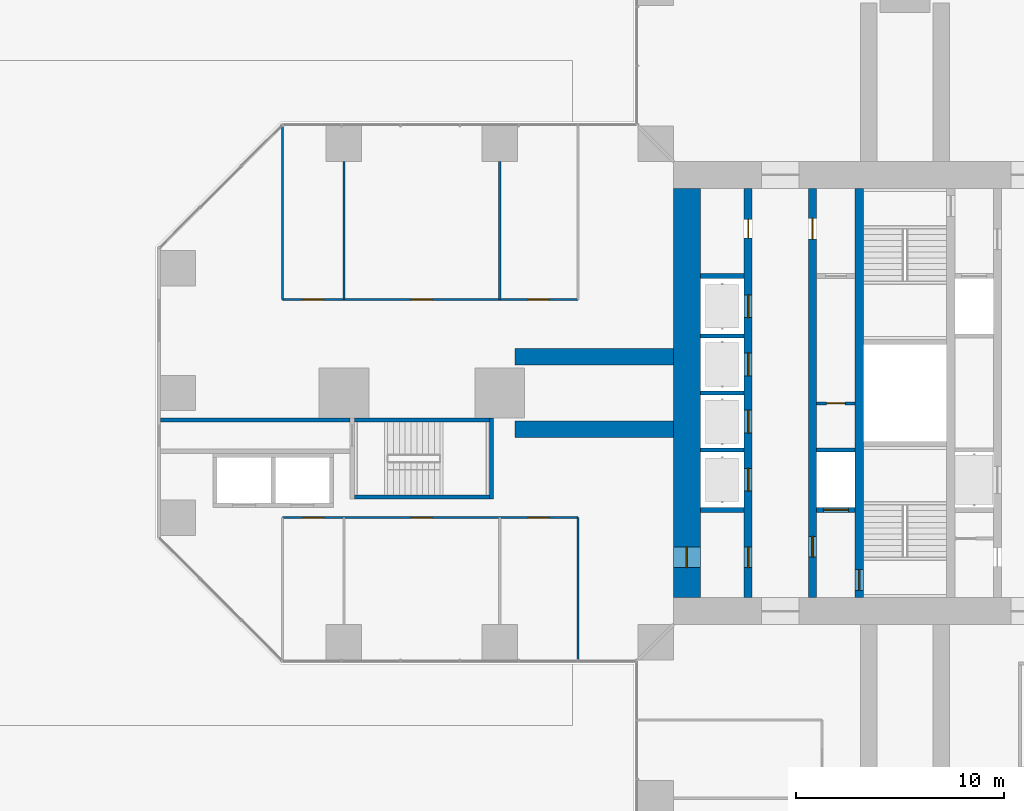
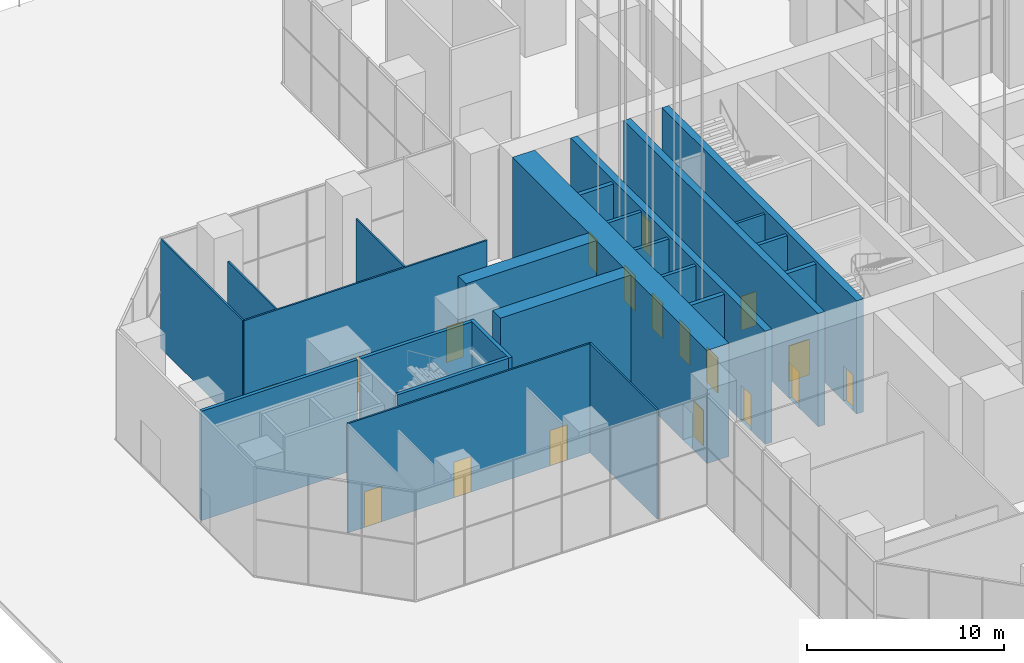
# One storey, part 18 of 43: 24 walls, 18 doors, 18 openings.
"""IFC4 building model written with IfcOpenShell, lengths in metres."""

from ifc_helpers import new_model, si_unit, direction, frame, frame_2d, origin, place, context, subcontext, project, spatial, rectangle, extrude, material, layer, layer_set, type_object, element, fill, save


model = new_model("IFC4")

# Units and contexts
model_context = context("Model", 3, precision=1e-05, world=origin(), true_north=direction((0.0, 1.0)))
body_context = subcontext(model_context, "Body", "Model", "MODEL_VIEW")
ifc_project = project(units=[si_unit("LENGTHUNIT", "METRE"), si_unit("AREAUNIT", "SQUARE_METRE"), si_unit("VOLUMEUNIT", "CUBIC_METRE"), si_unit("PLANEANGLEUNIT", "RADIAN"), si_unit("MASSUNIT", "GRAM", prefix="KILO")], contexts=[model_context])

# Site, building, storey
site_placement = place(None, origin())
site = spatial("IfcSite", under=ifc_project, at=site_placement, CompositionType="ELEMENT")
building_placement = place(site_placement, origin())
building = spatial("IfcBuilding", under=site, at=building_placement, Name="Mizan Broadcast Tower", CompositionType="ELEMENT")
storey_placement = place(building_placement, origin())
storey = spatial("IfcBuildingStorey", under=building, at=storey_placement, Name="L00", CompositionType="ELEMENT", Elevation=0.0)

# Wall, openings, doors
ifc_material_1 = material(Name="Concrete C70/85", Category="concrete")
ifc_layer_1 = layer(ifc_material_1, 0.39990234375)
ifc_layer_set_1 = layer_set([ifc_layer_1], Name="Concrete C70/85")
wall_type_1 = type_object("IfcWallType", Name="CORE INTERNAL WALL 400", PredefinedType="SHEAR", material=ifc_layer_set_1)
wall_1_placement = place(storey_placement, frame((-7.550048828125, -9.85009765625, 0.0), z_axis=(0.0, 0.0, 1.0), x_axis=(0.0, 1.0, 0.0)))
wall_1 = element("IfcWall", 1, at=wall_1_placement, inside=storey, type_object=wall_type_1, Name="Core wall CORE/XW1", PredefinedType="SHEAR", context=body_context, shape_type="SweptSolid", body=[
    extrude(rectangle(XDim=19.7001953125, YDim=0.39990234375, at=frame_2d((9.85009765625, 0.0))), origin(), (0.0, 0.0, 1.0), 7.0),
])
opening_1_placement = place(wall_1_placement, frame((1.449951171875, 0.0, 0.0)))
opening_1 = element("IfcOpeningElement", 2, at=opening_1_placement, cuts=wall_1, Name="Opening D10F", PredefinedType="OPENING", context=body_context, shape_type="SweptSolid", body=[
    extrude(rectangle(XDim=1.0, YDim=2.199951171875, at=frame_2d((0.5, 1.10009765625))), frame((0.0, 0.2099609375, 0.0), z_axis=(0.0, -1.0, 0.0), x_axis=(1.0, 0.0, 0.0)), (0.0, 0.0, 1.0), 0.419921875),
])
opening_2_placement = place(wall_1_placement, frame((17.300048828125, 0.0, 0.0)))
opening_2 = element("IfcOpeningElement", 3, at=opening_2_placement, cuts=wall_1, Name="Opening D09", PredefinedType="OPENING", context=body_context, shape_type="SweptSolid", body=[
    extrude(rectangle(XDim=0.89990234375, YDim=2.10009765625, at=frame_2d((0.449951171875, 1.050048828125))), frame((0.0, 0.2099609375, 0.0), z_axis=(0.0, -1.0, 0.0), x_axis=(1.0, 0.0, 0.0)), (0.0, 0.0, 1.0), 0.419921875),
])
opening_3_placement = place(wall_1_placement, frame((5.125, 0.0, 0.0)))
opening_3 = element("IfcOpeningElement", 4, at=opening_3_placement, cuts=wall_1, Name="Opening LD", PredefinedType="OPENING", context=body_context, shape_type="SweptSolid", body=[
    extrude(rectangle(XDim=1.10009765625, YDim=2.199951171875, at=frame_2d((0.550048828125, 1.10009765625))), frame((0.0, 0.2099609375, 0.0), z_axis=(0.0, -1.0, 0.0), x_axis=(1.0, 0.0, 0.0)), (0.0, 0.0, 1.0), 0.419921875),
])
opening_4_placement = place(wall_1_placement, frame((7.925048828125, 0.0, 0.0)))
opening_4 = element("IfcOpeningElement", 5, at=opening_4_placement, cuts=wall_1, Name="Opening LD", PredefinedType="OPENING", context=body_context, shape_type="SweptSolid", body=[
    extrude(rectangle(XDim=1.10009765625, YDim=2.199951171875, at=frame_2d((0.550048828125, 1.10009765625))), frame((0.0, 0.2099609375, 0.0), z_axis=(0.0, -1.0, 0.0), x_axis=(1.0, 0.0, 0.0)), (0.0, 0.0, 1.0), 0.419921875),
])
opening_5_placement = place(wall_1_placement, frame((10.675048828125, 0.0, 0.0)))
opening_5 = element("IfcOpeningElement", 6, at=opening_5_placement, cuts=wall_1, Name="Opening LD", PredefinedType="OPENING", context=body_context, shape_type="SweptSolid", body=[
    extrude(rectangle(XDim=1.10009765625, YDim=2.199951171875, at=frame_2d((0.550048828125, 1.10009765625))), frame((0.0, 0.2099609375, 0.0), z_axis=(0.0, -1.0, 0.0), x_axis=(1.0, 0.0, 0.0)), (0.0, 0.0, 1.0), 0.419921875),
])
opening_6_placement = place(wall_1_placement, frame((13.47509765625, 0.0, 0.0)))
opening_6 = element("IfcOpeningElement", 7, at=opening_6_placement, cuts=wall_1, Name="Opening LD", PredefinedType="OPENING", context=body_context, shape_type="SweptSolid", body=[
    extrude(rectangle(XDim=1.10009765625, YDim=2.199951171875, at=frame_2d((0.550048828125, 1.10009765625))), frame((0.0, 0.2099609375, 0.0), z_axis=(0.0, -1.0, 0.0), x_axis=(1.0, 0.0, 0.0)), (0.0, 0.0, 1.0), 0.419921875),
])
ifc_material_2 = material(Name="Steel door leaf in steel frame", Category="steel")
door_type_1 = type_object("IfcDoorType", Name="FIRE DOOR 1000 FD90", OperationType="SINGLE_SWING_LEFT", PredefinedType="DOOR", material=ifc_material_2)
door_1_placement = place(opening_1_placement, origin())
door_1 = element("IfcDoor", 8, at=door_1_placement, inside=storey, type_object=door_type_1, Name="West core passage door", OperationType="SINGLE_SWING_LEFT", OverallHeight=2.199951171875, OverallWidth=1.0, PredefinedType="DOOR", context=body_context, shape_type="SweptSolid", body=[
    extrude(rectangle(XDim=1.0, YDim=2.199951171875, at=frame_2d((0.5, 1.10009765625))), frame((0.0, 0.02490234375, 0.0), z_axis=(0.0, -1.0, 0.0), x_axis=(1.0, 0.0, 0.0)), (0.0, 0.0, 1.0), 0.050048828125),
])
fill(opening_1, door_1)
ifc_material_3 = material(Name="Steel door leaf in steel frame", Category="steel")
door_type_2 = type_object("IfcDoorType", Name="LIFT LANDING DOOR 1100", OperationType="SLIDING_TO_LEFT", PredefinedType="DOOR", material=ifc_material_3)
door_2_placement = place(opening_3_placement, origin())
door_2 = element("IfcDoor", 9, at=door_2_placement, inside=storey, type_object=door_type_2, Name="Landing door LA1", OperationType="SLIDING_TO_LEFT", OverallHeight=2.199951171875, OverallWidth=1.10009765625, PredefinedType="DOOR", context=body_context, shape_type="SweptSolid", body=[
    extrude(rectangle(XDim=1.10009765625, YDim=2.199951171875, at=frame_2d((0.550048828125, 1.10009765625))), frame((0.0, 0.02490234375, 0.0), z_axis=(0.0, -1.0, 0.0), x_axis=(1.0, 0.0, 0.0)), (0.0, 0.0, 1.0), 0.050048828125),
])
fill(opening_3, door_2)
door_3_placement = place(opening_4_placement, origin())
door_3 = element("IfcDoor", 10, at=door_3_placement, inside=storey, type_object=door_type_2, Name="Landing door LA2", OperationType="SLIDING_TO_LEFT", OverallHeight=2.199951171875, OverallWidth=1.10009765625, PredefinedType="DOOR", context=body_context, shape_type="SweptSolid", body=[
    extrude(rectangle(XDim=1.10009765625, YDim=2.199951171875, at=frame_2d((0.550048828125, 1.10009765625))), frame((0.0, 0.02490234375, 0.0), z_axis=(0.0, -1.0, 0.0), x_axis=(1.0, 0.0, 0.0)), (0.0, 0.0, 1.0), 0.050048828125),
])
fill(opening_4, door_3)
door_4_placement = place(opening_5_placement, origin())
door_4 = element("IfcDoor", 11, at=door_4_placement, inside=storey, type_object=door_type_2, Name="Landing door LA3", OperationType="SLIDING_TO_LEFT", OverallHeight=2.199951171875, OverallWidth=1.10009765625, PredefinedType="DOOR", context=body_context, shape_type="SweptSolid", body=[
    extrude(rectangle(XDim=1.10009765625, YDim=2.199951171875, at=frame_2d((0.550048828125, 1.10009765625))), frame((0.0, 0.02490234375, 0.0), z_axis=(0.0, -1.0, 0.0), x_axis=(1.0, 0.0, 0.0)), (0.0, 0.0, 1.0), 0.050048828125),
])
fill(opening_5, door_4)
door_5_placement = place(opening_6_placement, origin())
door_5 = element("IfcDoor", 12, at=door_5_placement, inside=storey, type_object=door_type_2, Name="Landing door LA4", OperationType="SLIDING_TO_LEFT", OverallHeight=2.199951171875, OverallWidth=1.10009765625, PredefinedType="DOOR", context=body_context, shape_type="SweptSolid", body=[
    extrude(rectangle(XDim=1.10009765625, YDim=2.199951171875, at=frame_2d((0.550048828125, 1.10009765625))), frame((0.0, 0.02490234375, 0.0), z_axis=(0.0, -1.0, 0.0), x_axis=(1.0, 0.0, 0.0)), (0.0, 0.0, 1.0), 0.050048828125),
])
fill(opening_6, door_5)
ifc_material_4 = material(Name="Timber door leaf in aluminium frame", Category="wood")
door_type_3 = type_object("IfcDoorType", Name="TOILET DOOR 900", OperationType="SINGLE_SWING_LEFT", PredefinedType="DOOR", material=ifc_material_4)
door_6_placement = place(opening_2_placement, origin())
door_6 = element("IfcDoor", 13, at=door_6_placement, inside=storey, type_object=door_type_3, Name="Male WC door", OperationType="SINGLE_SWING_RIGHT", OverallHeight=2.10009765625, OverallWidth=0.89990234375, PredefinedType="DOOR", context=body_context, shape_type="SweptSolid", body=[
    extrude(rectangle(XDim=0.89990234375, YDim=2.10009765625, at=frame_2d((0.449951171875, 1.050048828125))), frame((0.0, 0.02490234375, 0.0), z_axis=(0.0, -1.0, 0.0), x_axis=(1.0, 0.0, 0.0)), (0.0, 0.0, 1.0), 0.050048828125),
])
fill(opening_2, door_6)

wall_2_placement = place(storey_placement, frame((-4.449951171875, -9.85009765625, 0.0), z_axis=(0.0, 0.0, 1.0), x_axis=(0.0, 1.0, 0.0)))
wall_2 = element("IfcWall", 14, at=wall_2_placement, inside=storey, type_object=wall_type_1, Name="Core wall CORE/XWH", PredefinedType="SHEAR", context=body_context, shape_type="SweptSolid", body=[
    extrude(rectangle(XDim=19.7001953125, YDim=0.39990234375, at=frame_2d((9.85009765625, 0.0))), origin(), (0.0, 0.0, 1.0), 7.0),
])
opening_7_placement = place(wall_2_placement, frame((1.949951171875, 0.0, 0.0)))
opening_7 = element("IfcOpeningElement", 15, at=opening_7_placement, cuts=wall_2, Name="Opening D10F", PredefinedType="OPENING", context=body_context, shape_type="SweptSolid", body=[
    extrude(rectangle(XDim=1.0, YDim=2.199951171875, at=frame_2d((0.5, 1.10009765625))), frame((0.0, 0.2099609375, 0.0), z_axis=(0.0, -1.0, 0.0), x_axis=(1.0, 0.0, 0.0)), (0.0, 0.0, 1.0), 0.419921875),
])
opening_8_placement = place(wall_2_placement, frame((17.25, 0.0, 0.0)))
opening_8 = element("IfcOpeningElement", 16, at=opening_8_placement, cuts=wall_2, Name="Opening D10A", PredefinedType="OPENING", context=body_context, shape_type="SweptSolid", body=[
    extrude(rectangle(XDim=1.0, YDim=2.10009765625, at=frame_2d((0.5, 1.050048828125))), frame((0.0, 0.2099609375, 0.0), z_axis=(0.0, -1.0, 0.0), x_axis=(1.0, 0.0, 0.0)), (0.0, 0.0, 1.0), 0.419921875),
])
ifc_material_5 = material(Name="Timber door leaf in aluminium frame", Category="wood")
door_type_4 = type_object("IfcDoorType", Name="ACCESSIBLE WC DOOR 1000", OperationType="SLIDING_TO_LEFT", PredefinedType="DOOR", material=ifc_material_5)
door_7_placement = place(opening_8_placement, origin())
door_7 = element("IfcDoor", 17, at=door_7_placement, inside=storey, type_object=door_type_4, Name="Accessible WC door", OperationType="SLIDING_TO_LEFT", OverallHeight=2.10009765625, OverallWidth=1.0, PredefinedType="DOOR", context=body_context, shape_type="SweptSolid", body=[
    extrude(rectangle(XDim=1.0, YDim=2.10009765625, at=frame_2d((0.5, 1.050048828125))), frame((0.0, 0.02490234375, 0.0), z_axis=(0.0, -1.0, 0.0), x_axis=(1.0, 0.0, 0.0)), (0.0, 0.0, 1.0), 0.050048828125),
])
fill(opening_8, door_7)
door_8_placement = place(opening_7_placement, origin())
door_8 = element("IfcDoor", 18, at=door_8_placement, inside=storey, type_object=door_type_1, Name="Firefighting lobby A door", OperationType="SINGLE_SWING_LEFT", OverallHeight=2.199951171875, OverallWidth=1.0, PredefinedType="DOOR", context=body_context, shape_type="SweptSolid", body=[
    extrude(rectangle(XDim=1.0, YDim=2.199951171875, at=frame_2d((0.5, 1.10009765625))), frame((0.0, 0.02490234375, 0.0), z_axis=(0.0, -1.0, 0.0), x_axis=(1.0, 0.0, 0.0)), (0.0, 0.0, 1.0), 0.050048828125),
])
fill(opening_7, door_8)

# Wall, opening, door
wall_3_placement = place(storey_placement, frame((-2.199951171875, -9.85009765625, 0.0), z_axis=(0.0, 0.0, 1.0), x_axis=(0.0, 1.0, 0.0)))
wall_3 = element("IfcWall", 19, at=wall_3_placement, inside=storey, type_object=wall_type_1, Name="Core wall CORE/XW2", PredefinedType="SHEAR", context=body_context, shape_type="SweptSolid", body=[
    extrude(rectangle(XDim=19.7001953125, YDim=0.39990234375, at=frame_2d((9.85009765625, 0.0))), origin(), (0.0, 0.0, 1.0), 7.0),
])
opening_9_placement = place(wall_3_placement, frame((0.35009765625, 0.0, 0.0)))
opening_9 = element("IfcOpeningElement", 20, at=opening_9_placement, cuts=wall_3, Name="Opening D10S", PredefinedType="OPENING", context=body_context, shape_type="SweptSolid", body=[
    extrude(rectangle(XDim=1.0, YDim=2.199951171875, at=frame_2d((0.5, 1.10009765625))), frame((0.0, 0.2099609375, 0.0), z_axis=(0.0, -1.0, 0.0), x_axis=(1.0, 0.0, 0.0)), (0.0, 0.0, 1.0), 0.419921875),
])
ifc_material_6 = material(Name="Steel door leaf in steel frame", Category="steel")
door_type_5 = type_object("IfcDoorType", Name="STAIR DOOR 1000 FD90S", OperationType="SINGLE_SWING_RIGHT", PredefinedType="DOOR", material=ifc_material_6)
door_9_placement = place(opening_9_placement, origin())
door_9 = element("IfcDoor", 21, at=door_9_placement, inside=storey, type_object=door_type_5, Name="Stair A door", OperationType="SINGLE_SWING_RIGHT", OverallHeight=2.199951171875, OverallWidth=1.0, PredefinedType="DOOR", context=body_context, shape_type="SweptSolid", body=[
    extrude(rectangle(XDim=1.0, YDim=2.199951171875, at=frame_2d((0.5, 1.10009765625))), frame((0.0, 0.02490234375, 0.0), z_axis=(0.0, -1.0, 0.0), x_axis=(1.0, 0.0, 0.0)), (0.0, 0.0, 1.0), 0.050048828125),
])
fill(opening_9, door_9)

ifc_material_7 = material(Name="Concrete blockwork", Category="masonry")
ifc_layer_2 = layer(ifc_material_7, 0.14990234375)
ifc_layer_set_2 = layer_set([ifc_layer_2], Name="Concrete blockwork")
wall_type_2 = type_object("IfcWallType", Name="CORE PARTITION 150", PredefinedType="SOLIDWALL", material=ifc_layer_set_2)
wall_4_placement = place(storey_placement, frame((-4.25, -0.5, 0.0), z_axis=(0.0, 0.0, 1.0), x_axis=(1.0, 0.0, 0.0)))
wall_4 = element("IfcWall", 22, at=wall_4_placement, inside=storey, type_object=wall_type_2, Name="Core partition CORE/XP2", PredefinedType="SOLIDWALL", context=body_context, shape_type="SweptSolid", body=[
    extrude(rectangle(XDim=1.85009765625, YDim=0.14990234375, at=frame_2d((0.925048828125, 0.0))), origin(), (0.0, 0.0, 1.0), 6.75),
])
opening_10_placement = place(wall_4_placement, frame((0.47509765625, 0.0, 0.0)))
opening_10 = element("IfcOpeningElement", 23, at=opening_10_placement, cuts=wall_4, Name="Opening D09F", PredefinedType="OPENING", context=body_context, shape_type="SweptSolid", body=[
    extrude(rectangle(XDim=0.89990234375, YDim=2.10009765625, at=frame_2d((0.449951171875, 1.050048828125))), frame((0.0, 0.0849609375, 0.0), z_axis=(0.0, -1.0, 0.0), x_axis=(1.0, 0.0, 0.0)), (0.0, 0.0, 1.0), 0.169921875),
])
ifc_material_8 = material(Name="Steel door leaf in steel frame", Category="steel")
door_type_6 = type_object("IfcDoorType", Name="CORE ROOM DOOR 900 FD90", OperationType="SINGLE_SWING_LEFT", PredefinedType="DOOR", material=ifc_material_8)
door_10_placement = place(opening_10_placement, origin())
door_10 = element("IfcDoor", 24, at=door_10_placement, inside=storey, type_object=door_type_6, Name="Staff shower room door", OperationType="SINGLE_SWING_RIGHT", OverallHeight=2.10009765625, OverallWidth=0.89990234375, PredefinedType="DOOR", context=body_context, shape_type="SweptSolid", body=[
    extrude(rectangle(XDim=0.89990234375, YDim=2.10009765625, at=frame_2d((0.449951171875, 1.050048828125))), frame((0.0, 0.02490234375, 0.0), z_axis=(0.0, -1.0, 0.0), x_axis=(1.0, 0.0, 0.0)), (0.0, 0.0, 1.0), 0.050048828125),
])
fill(opening_10, door_10)

ifc_material_9 = material(Name="Concrete C70/85", Category="concrete")
ifc_layer_3 = layer(ifc_material_9, 1.300048828125)
ifc_layer_set_3 = layer_set([ifc_layer_3], Name="Concrete C70/85")
wall_type_3 = type_object("IfcWallType", Name="CORE WALL 1300", PredefinedType="SHEAR", material=ifc_layer_set_3)
wall_5_placement = place(storey_placement, frame((-10.5, 9.85009765625, 0.0), z_axis=(0.0, 0.0, 1.0), x_axis=(0.0, -1.0, 0.0)))
wall_5 = element("IfcWall", 25, at=wall_5_placement, inside=storey, type_object=wall_type_3, Name="Core wall W L00", PredefinedType="SHEAR", context=body_context, shape_type="SweptSolid", body=[
    extrude(rectangle(XDim=19.7001953125, YDim=1.300048828125, at=frame_2d((9.85009765625, 0.0))), origin(), (0.0, 0.0, 1.0), 7.0),
])
opening_11_placement = place(wall_5_placement, frame((17.25, 0.0, 0.0)))
opening_11 = element("IfcOpeningElement", 26, at=opening_11_placement, cuts=wall_5, Name="Opening D10F", PredefinedType="OPENING", context=body_context, shape_type="SweptSolid", body=[
    extrude(rectangle(XDim=1.0, YDim=2.199951171875, at=frame_2d((0.5, 1.10009765625))), frame((0.0, 0.659912109375, 0.0), z_axis=(0.0, -1.0, 0.0), x_axis=(1.0, 0.0, 0.0)), (0.0, 0.0, 1.0), 1.320068359375),
])
door_11_placement = place(opening_11_placement, origin())
door_11 = element("IfcDoor", 27, at=door_11_placement, inside=storey, type_object=door_type_1, Name="West core passage arm door", OperationType="SINGLE_SWING_RIGHT", OverallHeight=2.199951171875, OverallWidth=1.0, PredefinedType="DOOR", context=body_context, shape_type="SweptSolid", body=[
    extrude(rectangle(XDim=1.0, YDim=2.199951171875, at=frame_2d((0.5, 1.10009765625))), frame((0.0, 0.02490234375, 0.0), z_axis=(0.0, -1.0, 0.0), x_axis=(1.0, 0.0, 0.0)), (0.0, 0.0, 1.0), 0.050048828125),
])
fill(opening_11, door_11)

# Walls
ifc_material_10 = material(Name="Concrete blockwork", Category="masonry")
ifc_layer_4 = layer(ifc_material_10, 0.199951171875)
ifc_layer_set_4 = layer_set([ifc_layer_4], Name="Concrete blockwork")
wall_type_4 = type_object("IfcWallType", Name="LIFT SHAFT WALL 200", PredefinedType="SOLIDWALL", material=ifc_layer_set_4)
wall_6_placement = place(storey_placement, frame((-9.85009765625, -2.75, 0.0), z_axis=(0.0, 0.0, 1.0), x_axis=(1.0, 0.0, 0.0)))
element("IfcWall", 28, at=wall_6_placement, inside=storey, type_object=wall_type_4, Name="Lift shaft wall CORE/SW1-1", PredefinedType="SOLIDWALL", context=body_context, shape_type="SweptSolid", body=[
    extrude(rectangle(XDim=2.10009765625, YDim=0.199951171875, at=frame_2d((1.050048828125, 0.0))), origin(), (0.0, 0.0, 1.0), 6.800048828125),
])
wall_7_placement = place(storey_placement, frame((-4.25, -2.75, 0.0), z_axis=(0.0, 0.0, 1.0), x_axis=(1.0, 0.0, 0.0)))
element("IfcWall", 29, at=wall_7_placement, inside=storey, type_object=wall_type_4, Name="Lift shaft wall CORE/SW2-1", PredefinedType="SOLIDWALL", context=body_context, shape_type="SweptSolid", body=[
    extrude(rectangle(XDim=1.85009765625, YDim=0.199951171875, at=frame_2d((0.925048828125, 0.0))), origin(), (0.0, 0.0, 1.0), 6.800048828125),
])
for number, where, z_axis, x_axis, name in (
    (30, (-9.85009765625, 0.0, 0.0), (0.0, 0.0, 1.0), (1.0, 0.0, 0.0), "Lift shaft wall CORE/SW1-2"),
    (31, (-9.85009765625, 2.75, 0.0), (0.0, 0.0, 1.0), (1.0, 0.0, 0.0), "Lift shaft wall CORE/SW1-3"),
):
    element("IfcWall", number, at=place(storey_placement, frame(where, z_axis=z_axis, x_axis=x_axis)), inside=storey, type_object=wall_type_4, Name=name, PredefinedType="SOLIDWALL", context=body_context, shape_type="SweptSolid", body=[
        extrude(rectangle(XDim=2.10009765625, YDim=0.199951171875, at=frame_2d((1.050048828125, 0.0))), origin(), (0.0, 0.0, 1.0), 6.800048828125),
    ])
ifc_material_11 = material(Name="Concrete blockwork", Category="masonry")
ifc_layer_5 = layer(ifc_material_11, 0.25)
ifc_layer_set_5 = layer_set([ifc_layer_5], Name="Concrete blockwork")
wall_type_5 = type_object("IfcWallType", Name="LOBBY ENCLOSURE WALL 250", PredefinedType="SOLIDWALL", material=ifc_layer_set_5)
for number, where, z_axis, x_axis, name in (
    (32, (-9.85009765625, 5.625, 0.0), (0.0, 0.0, 1.0), (1.0, 0.0, 0.0), "Lobby enclosure wall CORE/BW1N"),
    (33, (-9.85009765625, -5.625, 0.0), (0.0, 0.0, 1.0), (1.0, 0.0, 0.0), "Lobby enclosure wall CORE/BW1S"),
):
    element("IfcWall", number, at=place(storey_placement, frame(where, z_axis=z_axis, x_axis=x_axis)), inside=storey, type_object=wall_type_5, Name=name, PredefinedType="SOLIDWALL", context=body_context, shape_type="SweptSolid", body=[
        extrude(rectangle(XDim=2.10009765625, YDim=0.25, at=frame_2d((1.050048828125, 0.0))), origin(), (0.0, 0.0, 1.0), 6.800048828125),
    ])

# Wall, opening, door
wall_8_placement = place(storey_placement, frame((-4.25, -5.625, 0.0), z_axis=(0.0, 0.0, 1.0), x_axis=(1.0, 0.0, 0.0)))
wall_8 = element("IfcWall", 34, at=wall_8_placement, inside=storey, type_object=wall_type_5, Name="Lobby enclosure wall CORE/BW2S", PredefinedType="SOLIDWALL", context=body_context, shape_type="SweptSolid", body=[
    extrude(rectangle(XDim=1.85009765625, YDim=0.25, at=frame_2d((0.925048828125, 0.0))), origin(), (0.0, 0.0, 1.0), 6.800048828125),
])
opening_12_placement = place(wall_8_placement, frame((0.324951171875, 0.0, 0.0)))
opening_12 = element("IfcOpeningElement", 35, at=opening_12_placement, cuts=wall_8, Name="Opening LDF", PredefinedType="OPENING", context=body_context, shape_type="SweptSolid", body=[
    extrude(rectangle(XDim=1.199951171875, YDim=2.199951171875, at=frame_2d((0.60009765625, 1.10009765625))), frame((0.0, 0.135009765625, 0.0), z_axis=(0.0, -1.0, 0.0), x_axis=(1.0, 0.0, 0.0)), (0.0, 0.0, 1.0), 0.27001953125),
])
ifc_material_12 = material(Name="Steel door leaf in steel frame", Category="steel")
door_type_7 = type_object("IfcDoorType", Name="FIREFIGHTING LIFT LANDING DOOR 1200", OperationType="SLIDING_TO_LEFT", PredefinedType="DOOR", material=ifc_material_12)
door_12_placement = place(opening_12_placement, origin())
door_12 = element("IfcDoor", 36, at=door_12_placement, inside=storey, type_object=door_type_7, Name="Landing door FF1", OperationType="SLIDING_TO_LEFT", OverallHeight=2.199951171875, OverallWidth=1.199951171875, PredefinedType="DOOR", context=body_context, shape_type="SweptSolid", body=[
    extrude(rectangle(XDim=1.199951171875, YDim=2.199951171875, at=frame_2d((0.60009765625, 1.10009765625))), frame((0.0, 0.02490234375, 0.0), z_axis=(0.0, -1.0, 0.0), x_axis=(1.0, 0.0, 0.0)), (0.0, 0.0, 1.0), 0.050048828125),
])
fill(opening_12, door_12)

# Wall, openings, doors
ifc_material_13 = material(Name="Glazed aluminium partition on aluminium track", Category="aluminium")
ifc_layer_6 = layer(ifc_material_13, 0.10009765625)
ifc_layer_set_6 = layer_set([ifc_layer_6], Name="Glazed aluminium partition on aluminium track")
wall_type_6 = type_object("IfcWallType", Name="PARTITION GLAZED OFFICE FRONT 100", PredefinedType="PARTITIONING", material=ifc_layer_set_6)
wall_9_placement = place(storey_placement, frame((-15.742919921875, -6.0, 0.0), z_axis=(0.0, 0.0, 1.0), x_axis=(-1.0, 0.0, 0.0)))
wall_9 = element("IfcWall", 37, at=wall_9_placement, inside=storey, type_object=wall_type_6, Name="Glazed office front PT/WGP", PredefinedType="PARTITIONING", context=body_context, shape_type="SweptSolid", body=[
    extrude(rectangle(XDim=14.216064453125, YDim=0.10009765625, at=frame_2d((7.10791015625, 0.0))), origin(), (0.0, 0.0, 1.0), 6.75),
])
opening_13_placement = place(wall_9_placement, frame((1.37841796875, 0.0, 0.0)))
opening_13 = element("IfcOpeningElement", 38, at=opening_13_placement, cuts=wall_9, Name="Opening D10O", PredefinedType="OPENING", context=body_context, shape_type="SweptSolid", body=[
    extrude(rectangle(XDim=1.0, YDim=2.199951171875, at=frame_2d((0.5, 1.10009765625))), frame((0.0, 0.06005859375, 0.0), z_axis=(0.0, -1.0, 0.0), x_axis=(1.0, 0.0, 0.0)), (0.0, 0.0, 1.0), 0.1201171875),
])
opening_14_placement = place(wall_9_placement, frame((7.007080078125, 0.0, 0.0)))
opening_14 = element("IfcOpeningElement", 39, at=opening_14_placement, cuts=wall_9, Name="Opening D10O", PredefinedType="OPENING", context=body_context, shape_type="SweptSolid", body=[
    extrude(rectangle(XDim=1.0, YDim=2.199951171875, at=frame_2d((0.5, 1.10009765625))), frame((0.0, 0.06005859375, 0.0), z_axis=(0.0, -1.0, 0.0), x_axis=(1.0, 0.0, 0.0)), (0.0, 0.0, 1.0), 0.1201171875),
])
opening_15_placement = place(wall_9_placement, frame((12.236572265625, 0.0, 0.0)))
opening_15 = element("IfcOpeningElement", 40, at=opening_15_placement, cuts=wall_9, Name="Opening D10O", PredefinedType="OPENING", context=body_context, shape_type="SweptSolid", body=[
    extrude(rectangle(XDim=1.0, YDim=2.199951171875, at=frame_2d((0.5, 1.10009765625))), frame((0.0, 0.06005859375, 0.0), z_axis=(0.0, -1.0, 0.0), x_axis=(1.0, 0.0, 0.0)), (0.0, 0.0, 1.0), 0.1201171875),
])
ifc_material_14 = material(Name="Timber door leaf in aluminium frame", Category="wood")
door_type_8 = type_object("IfcDoorType", Name="OFFICE DOOR 1000 GLAZED", OperationType="SINGLE_SWING_LEFT", PredefinedType="DOOR", material=ifc_material_14)
door_13_placement = place(opening_13_placement, origin())
door_13 = element("IfcDoor", 41, at=door_13_placement, inside=storey, type_object=door_type_8, Name="Artists' security office door", OperationType="SINGLE_SWING_LEFT", OverallHeight=2.199951171875, OverallWidth=1.0, PredefinedType="DOOR", context=body_context, shape_type="SweptSolid", body=[
    extrude(rectangle(XDim=1.0, YDim=2.199951171875, at=frame_2d((0.5, 1.10009765625))), frame((0.0, 0.02490234375, 0.0), z_axis=(0.0, -1.0, 0.0), x_axis=(1.0, 0.0, 0.0)), (0.0, 0.0, 1.0), 0.050048828125),
])
fill(opening_13, door_13)
door_14_placement = place(opening_14_placement, origin())
door_14 = element("IfcDoor", 42, at=door_14_placement, inside=storey, type_object=door_type_8, Name="Artists' green room door", OperationType="SINGLE_SWING_RIGHT", OverallHeight=2.199951171875, OverallWidth=1.0, PredefinedType="DOOR", context=body_context, shape_type="SweptSolid", body=[
    extrude(rectangle(XDim=1.0, YDim=2.199951171875, at=frame_2d((0.5, 1.10009765625))), frame((0.0, 0.02490234375, 0.0), z_axis=(0.0, -1.0, 0.0), x_axis=(1.0, 0.0, 0.0)), (0.0, 0.0, 1.0), 0.050048828125),
])
fill(opening_14, door_14)
door_15_placement = place(opening_15_placement, origin())
door_15 = element("IfcDoor", 43, at=door_15_placement, inside=storey, type_object=door_type_8, Name="Wardrobe room door", OperationType="SINGLE_SWING_RIGHT", OverallHeight=2.199951171875, OverallWidth=1.0, PredefinedType="DOOR", context=body_context, shape_type="SweptSolid", body=[
    extrude(rectangle(XDim=1.0, YDim=2.199951171875, at=frame_2d((0.5, 1.10009765625))), frame((0.0, 0.02490234375, 0.0), z_axis=(0.0, -1.0, 0.0), x_axis=(1.0, 0.0, 0.0)), (0.0, 0.0, 1.0), 0.050048828125),
])
fill(opening_15, door_15)

# Wall
wall_10_placement = place(storey_placement, frame((-15.742919921875, -6.0, 0.0), z_axis=(0.0, 0.0, 1.0), x_axis=(0.0, -1.0, 0.0)))
element("IfcWall", 44, at=wall_10_placement, inside=storey, type_object=wall_type_6, Name="Glazed office front PT/WGP1574", PredefinedType="PARTITIONING", context=body_context, shape_type="SweptSolid", body=[
    extrude(rectangle(XDim=6.820068359375, YDim=0.10009765625, at=frame_2d((3.41015625, 0.0))), origin(), (0.0, 0.0, 1.0), 6.75),
])

# Wall, openings, doors
wall_11_placement = place(storey_placement, frame((-15.742919921875, 4.5, 0.0), z_axis=(0.0, 0.0, 1.0), x_axis=(-1.0, 0.0, 0.0)))
wall_11 = element("IfcWall", 45, at=wall_11_placement, inside=storey, type_object=wall_type_6, Name="Glazed office front PT/WGN", PredefinedType="PARTITIONING", context=body_context, shape_type="SweptSolid", body=[
    extrude(rectangle(XDim=14.216064453125, YDim=0.10009765625, at=frame_2d((7.10791015625, 0.0))), origin(), (0.0, 0.0, 1.0), 6.75),
])
opening_16_placement = place(wall_11_placement, frame((1.37841796875, 0.0, 0.0)))
opening_16 = element("IfcOpeningElement", 46, at=opening_16_placement, cuts=wall_11, Name="Opening D10O", PredefinedType="OPENING", context=body_context, shape_type="SweptSolid", body=[
    extrude(rectangle(XDim=1.0, YDim=2.199951171875, at=frame_2d((0.5, 1.10009765625))), frame((0.0, 0.06005859375, 0.0), z_axis=(0.0, -1.0, 0.0), x_axis=(1.0, 0.0, 0.0)), (0.0, 0.0, 1.0), 0.1201171875),
])
opening_17_placement = place(wall_11_placement, frame((7.007080078125, 0.0, 0.0)))
opening_17 = element("IfcOpeningElement", 47, at=opening_17_placement, cuts=wall_11, Name="Opening D10O", PredefinedType="OPENING", context=body_context, shape_type="SweptSolid", body=[
    extrude(rectangle(XDim=1.0, YDim=2.199951171875, at=frame_2d((0.5, 1.10009765625))), frame((0.0, 0.06005859375, 0.0), z_axis=(0.0, -1.0, 0.0), x_axis=(1.0, 0.0, 0.0)), (0.0, 0.0, 1.0), 0.1201171875),
])
opening_18_placement = place(wall_11_placement, frame((12.236572265625, 0.0, 0.0)))
opening_18 = element("IfcOpeningElement", 48, at=opening_18_placement, cuts=wall_11, Name="Opening D10O", PredefinedType="OPENING", context=body_context, shape_type="SweptSolid", body=[
    extrude(rectangle(XDim=1.0, YDim=2.199951171875, at=frame_2d((0.5, 1.10009765625))), frame((0.0, 0.06005859375, 0.0), z_axis=(0.0, -1.0, 0.0), x_axis=(1.0, 0.0, 0.0)), (0.0, 0.0, 1.0), 0.1201171875),
])
door_16_placement = place(opening_16_placement, origin())
door_16 = element("IfcDoor", 49, at=door_16_placement, inside=storey, type_object=door_type_8, Name="Courier room door", OperationType="SINGLE_SWING_LEFT", OverallHeight=2.199951171875, OverallWidth=1.0, PredefinedType="DOOR", context=body_context, shape_type="SweptSolid", body=[
    extrude(rectangle(XDim=1.0, YDim=2.199951171875, at=frame_2d((0.5, 1.10009765625))), frame((0.0, 0.02490234375, 0.0), z_axis=(0.0, -1.0, 0.0), x_axis=(1.0, 0.0, 0.0)), (0.0, 0.0, 1.0), 0.050048828125),
])
fill(opening_16, door_16)
door_17_placement = place(opening_17_placement, origin())
door_17 = element("IfcDoor", 50, at=door_17_placement, inside=storey, type_object=door_type_8, Name="Guest green room door", OperationType="SINGLE_SWING_RIGHT", OverallHeight=2.199951171875, OverallWidth=1.0, PredefinedType="DOOR", context=body_context, shape_type="SweptSolid", body=[
    extrude(rectangle(XDim=1.0, YDim=2.199951171875, at=frame_2d((0.5, 1.10009765625))), frame((0.0, 0.02490234375, 0.0), z_axis=(0.0, -1.0, 0.0), x_axis=(1.0, 0.0, 0.0)), (0.0, 0.0, 1.0), 0.050048828125),
])
fill(opening_17, door_17)
door_18_placement = place(opening_18_placement, origin())
door_18 = element("IfcDoor", 51, at=door_18_placement, inside=storey, type_object=door_type_8, Name="Production office door", OperationType="SINGLE_SWING_RIGHT", OverallHeight=2.199951171875, OverallWidth=1.0, PredefinedType="DOOR", context=body_context, shape_type="SweptSolid", body=[
    extrude(rectangle(XDim=1.0, YDim=2.199951171875, at=frame_2d((0.5, 1.10009765625))), frame((0.0, 0.02490234375, 0.0), z_axis=(0.0, -1.0, 0.0), x_axis=(1.0, 0.0, 0.0)), (0.0, 0.0, 1.0), 0.050048828125),
])
fill(opening_18, door_18)

# Walls
for number, where, z_axis, x_axis, name in (
    (52, (-19.5, 4.5, 0.0), (0.0, 0.0, 1.0), (0.0, 1.0, 0.0), "Glazed office front PT/WGN1950"),
    (53, (-27.0, 4.5, 0.0), (0.0, 0.0, 1.0), (0.0, 1.0, 0.0), "Glazed office front PT/WGN2700"),
):
    element("IfcWall", number, at=place(storey_placement, frame(where, z_axis=z_axis, x_axis=x_axis)), inside=storey, type_object=wall_type_6, Name=name, PredefinedType="PARTITIONING", context=body_context, shape_type="SweptSolid", body=[
        extrude(rectangle(XDim=6.64990234375, YDim=0.10009765625, at=frame_2d((3.324951171875, 0.0))), origin(), (0.0, 0.0, 1.0), 5.35009765625),
    ])
wall_12_placement = place(storey_placement, frame((-29.958984375, 4.5, 0.0), z_axis=(0.0, 0.0, 1.0), x_axis=(0.0, 1.0, 0.0)))
element("IfcWall", 54, at=wall_12_placement, inside=storey, type_object=wall_type_6, Name="Glazed office front PT/WGN2996", PredefinedType="PARTITIONING", context=body_context, shape_type="SweptSolid", body=[
    extrude(rectangle(XDim=8.320068359375, YDim=0.10009765625, at=frame_2d((4.16015625, 0.0))), origin(), (0.0, 0.0, 1.0), 6.75),
])
ifc_material_15 = material(Name="Concrete C70/85", Category="concrete")
ifc_layer_7 = layer(ifc_material_15, 0.800048828125)
ifc_layer_set_7 = layer_set([ifc_layer_7], Name="Concrete C70/85")
wall_type_7 = type_object("IfcWallType", Name="SPINE WALL 800", PredefinedType="SHEAR", material=ifc_layer_set_7)
for number, where, z_axis, x_axis, name in (
    (55, (-11.14990234375, 1.75, 0.0), (0.0, 0.0, 1.0), (-1.0, 0.0, 0.0), "Spine wall WR L00"),
    (56, (-11.14990234375, -1.75, 0.0), (0.0, 0.0, 1.0), (-1.0, 0.0, 0.0), "Spine wall WL L00"),
):
    element("IfcWall", number, at=place(storey_placement, frame(where, z_axis=z_axis, x_axis=x_axis)), inside=storey, type_object=wall_type_7, Name=name, PredefinedType="SHEAR", context=body_context, shape_type="SweptSolid", body=[
        extrude(rectangle(XDim=7.625, YDim=0.800048828125, at=frame_2d((3.8125, 0.0))), origin(), (0.0, 0.0, 1.0), 7.0),
    ])
ifc_material_16 = material(Name="Concrete blockwork", Category="masonry")
ifc_layer_8 = layer(ifc_material_16, 0.199951171875)
ifc_layer_set_8 = layer_set([ifc_layer_8], Name="Concrete blockwork")
wall_type_8 = type_object("IfcWallType", Name="STAIR ENCLOSURE WALL 200", PredefinedType="SOLIDWALL", material=ifc_layer_set_8)
wall_13_placement = place(storey_placement, frame((-26.699951171875, -1.300048828125, 0.0), z_axis=(0.0, 0.0, 1.0), x_axis=(-1.0, 0.0, 0.0)))
element("IfcWall", 57, at=wall_13_placement, inside=storey, type_object=wall_type_8, Name="Stair enclosure wall XP/W/W1", PredefinedType="SOLIDWALL", context=body_context, shape_type="SweptSolid", body=[
    extrude(rectangle(XDim=9.1201171875, YDim=0.199951171875, at=frame_2d((4.56005859375, 0.0))), origin(), (0.0, 0.0, 1.0), 6.75),
])
ifc_material_17 = material(Name="Concrete C40/50", Category="concrete")
ifc_layer_9 = layer(ifc_material_17, 0.199951171875)
ifc_layer_set_9 = layer_set([ifc_layer_9], Name="Concrete C40/50")
wall_type_9 = type_object("IfcWallType", Name="STAIR SHAFT WALL 200 RC", PredefinedType="SOLIDWALL", material=ifc_layer_set_9)
wall_14_placement = place(storey_placement, frame((-19.89990234375, -1.199951171875, 0.0), z_axis=(0.0, 0.0, 1.0), x_axis=(0.0, -1.0, 0.0)))
element("IfcWall", 58, at=wall_14_placement, inside=storey, type_object=wall_type_9, Name="Stair shaft wall PS/W/U0", PredefinedType="SOLIDWALL", context=body_context, shape_type="SweptSolid", body=[
    extrude(rectangle(XDim=3.900146484375, YDim=0.199951171875, at=frame_2d((1.9501953125, 0.0))), origin(), (0.0, 0.0, 1.0), 6.75),
])
for number, where, z_axis, x_axis, name in (
    (59, (-20.0, -1.300048828125, 0.0), (0.0, 0.0, 1.0), (-1.0, 0.0, 0.0), "Stair shaft wall PS/W/V0"),
    (60, (-26.5, -5.0, 0.0), (0.0, 0.0, 1.0), (1.0, 0.0, 0.0), "Stair shaft wall PS/W/V1"),
):
    element("IfcWall", number, at=place(storey_placement, frame(where, z_axis=z_axis, x_axis=x_axis)), inside=storey, type_object=wall_type_9, Name=name, PredefinedType="SOLIDWALL", context=body_context, shape_type="SweptSolid", body=[
        extrude(rectangle(XDim=6.5, YDim=0.199951171875, at=frame_2d((3.25, 0.0))), origin(), (0.0, 0.0, 1.0), 6.75),
    ])

save(model, "model.ifc")
